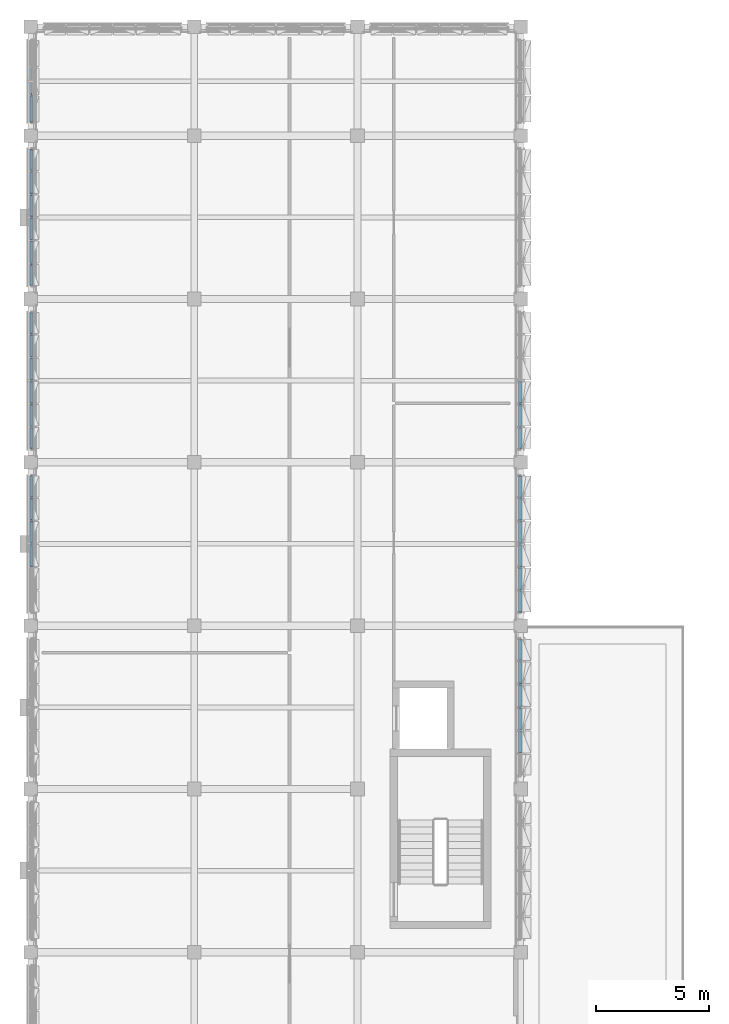
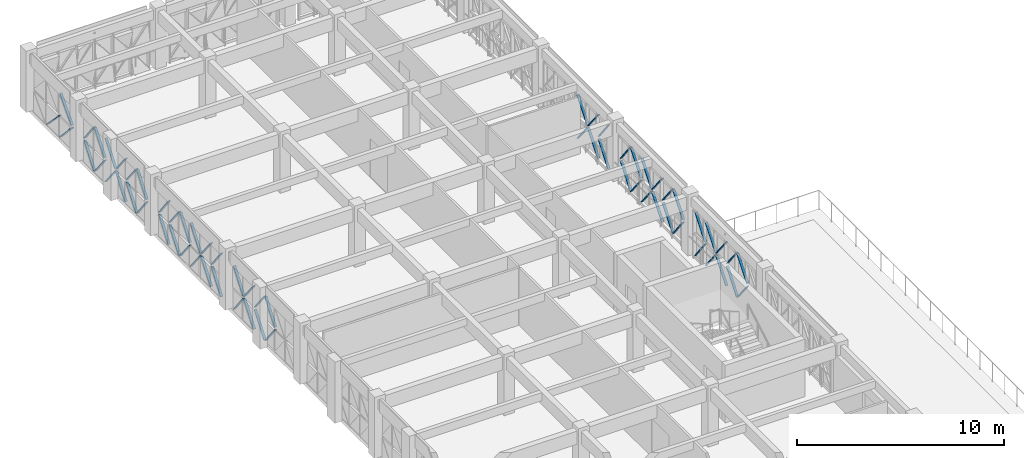
# One storey, part 64 of 99: 63 discrete accessories.
"""IFC4 building model written with IfcOpenShell, lengths in metres."""

from ifc_helpers import new_model, si_unit, direction, frame, origin, origin_2d, place, context, subcontext, project, spatial, rectangle, extrude, material, type_object, element, save


model = new_model("IFC4")

# Units and contexts
model_context = context("Model", 3, precision=1e-05, world=origin(), true_north=direction((0.0, 1.0)))
body_context = subcontext(model_context, "Body", "Model", "MODEL_VIEW")
ifc_project = project(units=[si_unit("LENGTHUNIT", "METRE"), si_unit("AREAUNIT", "SQUARE_METRE"), si_unit("VOLUMEUNIT", "CUBIC_METRE"), si_unit("PLANEANGLEUNIT", "RADIAN"), si_unit("MASSUNIT", "GRAM", prefix="KILO")], contexts=[model_context])

# Site, building, storey
site_placement = place(None, origin())
site = spatial("IfcSite", under=ifc_project, at=site_placement, CompositionType="ELEMENT")
building_placement = place(site_placement, origin())
building = spatial("IfcBuilding", under=site, at=building_placement, Name="Alvorim Cloister Faculty of Sciences", CompositionType="ELEMENT")
storey_placement = place(building_placement, frame((0.0, 0.0, 12.14990234375)))
storey = spatial("IfcBuildingStorey", under=building, at=storey_placement, Name="L03", CompositionType="ELEMENT", Elevation=12.14990234375)

# Discrete accessories
ifc_material = material(Name="Aluminium Alloy 6063-T6", Category="aluminium")
discrete_accessory_type = type_object("IfcDiscreteAccessoryType", Name="ACC-DIAG-BAR", PredefinedType="BRACKET", material=ifc_material)
discrete_accessory_1_placement = place(storey_placement, frame((0.0224609375, 87.8125, 1.35498046875), z_axis=(0.00647732753, 0.618031836495, -0.786126385072), x_axis=(-0.999945083323, 0.010479997039, 0.0)))
element("IfcDiscreteAccessory", 1, at=discrete_accessory_1_placement, inside=storey, type_object=discrete_accessory_type, Name="Diagonal Cassette Glazing Bracket ACC-01152", PredefinedType="BRACKET", context=body_context, shape_type="SweptSolid", body=[
    extrude(rectangle(XDim=0.139892578125, YDim=0.044921875, at=origin_2d()), origin(), (0.0, 0.0, 1.0), 1.54541015625),
])
discrete_accessory_2_placement = place(storey_placement, frame((0.0224609375, 87.8125, 1.4951171875), z_axis=(0.006476523147, 0.617955086572, 0.786186724404), x_axis=(-0.999945083323, 0.010479997039, 0.0)))
element("IfcDiscreteAccessory", 2, at=discrete_accessory_2_placement, inside=storey, type_object=discrete_accessory_type, Name="Diagonal Cassette Glazing Bracket ACC-01153", PredefinedType="BRACKET", context=body_context, shape_type="SweptSolid", body=[
    extrude(rectangle(XDim=0.139892578125, YDim=0.044921875, at=origin_2d()), origin(), (0.0, 0.0, 1.0), 1.545654296875),
])
discrete_accessory_3_placement = place(storey_placement, frame((0.0224609375, 88.83251953125, 0.14013671875), z_axis=(0.00647732753, 0.618031836495, 0.786126385072), x_axis=(-0.999945083323, 0.010479997039, 0.0)))
element("IfcDiscreteAccessory", 3, at=discrete_accessory_3_placement, inside=storey, type_object=discrete_accessory_type, Name="Diagonal Cassette Glazing Bracket ACC-01154", PredefinedType="BRACKET", context=body_context, shape_type="SweptSolid", body=[
    extrude(rectangle(XDim=0.139892578125, YDim=0.044921875, at=origin_2d()), origin(), (0.0, 0.0, 1.0), 1.54541015625),
])
discrete_accessory_4_placement = place(storey_placement, frame((0.0224609375, 88.83251953125, 2.710205078125), z_axis=(0.006476523147, 0.617955086572, -0.786186724404), x_axis=(-0.999945083323, 0.010479997039, 0.0)))
element("IfcDiscreteAccessory", 4, at=discrete_accessory_4_placement, inside=storey, type_object=discrete_accessory_type, Name="Diagonal Cassette Glazing Bracket ACC-01155", PredefinedType="BRACKET", context=body_context, shape_type="SweptSolid", body=[
    extrude(rectangle(XDim=0.139892578125, YDim=0.044921875, at=origin_2d()), origin(), (0.0, 0.0, 1.0), 1.545654296875),
])
discrete_accessory_5_placement = place(storey_placement, frame((0.0224609375, 89.8525390625, 0.14013671875), z_axis=(0.00647732753, 0.618031836495, 0.786126385072), x_axis=(-0.999945083323, 0.010479997039, 0.0)))
element("IfcDiscreteAccessory", 5, at=discrete_accessory_5_placement, inside=storey, type_object=discrete_accessory_type, Name="Diagonal Cassette Glazing Bracket ACC-01156", PredefinedType="BRACKET", context=body_context, shape_type="SweptSolid", body=[
    extrude(rectangle(XDim=0.139892578125, YDim=0.044921875, at=origin_2d()), origin(), (0.0, 0.0, 1.0), 1.54541015625),
])
discrete_accessory_6_placement = place(storey_placement, frame((0.0224609375, 89.8525390625, 2.710205078125), z_axis=(0.006476523147, 0.617955086572, -0.786186724404), x_axis=(-0.999945083323, 0.010479997039, 0.0)))
element("IfcDiscreteAccessory", 6, at=discrete_accessory_6_placement, inside=storey, type_object=discrete_accessory_type, Name="Diagonal Cassette Glazing Bracket ACC-01157", PredefinedType="BRACKET", context=body_context, shape_type="SweptSolid", body=[
    extrude(rectangle(XDim=0.139892578125, YDim=0.044921875, at=origin_2d()), origin(), (0.0, 0.0, 1.0), 1.545654296875),
])
discrete_accessory_7_placement = place(storey_placement, frame((0.0224609375, 90.87255859375, 1.35498046875), z_axis=(0.006562264866, 0.604688699088, -0.796434877359), x_axis=(-0.999941118963, 0.010851663811, 0.0)))
element("IfcDiscreteAccessory", 7, at=discrete_accessory_7_placement, inside=storey, type_object=discrete_accessory_type, Name="Diagonal Cassette Glazing Bracket ACC-01158", PredefinedType="BRACKET", context=body_context, shape_type="SweptSolid", body=[
    extrude(rectangle(XDim=0.139892578125, YDim=0.044921875, at=origin_2d()), origin(), (0.0, 0.0, 1.0), 1.525390625),
])
discrete_accessory_8_placement = place(storey_placement, frame((0.0224609375, 90.87255859375, 1.4951171875), z_axis=(0.006561428426, 0.604611624251, 0.796493397008), x_axis=(-0.999941118963, 0.010851663811, 0.0)))
element("IfcDiscreteAccessory", 8, at=discrete_accessory_8_placement, inside=storey, type_object=discrete_accessory_type, Name="Diagonal Cassette Glazing Bracket ACC-01159", PredefinedType="BRACKET", context=body_context, shape_type="SweptSolid", body=[
    extrude(rectangle(XDim=0.139892578125, YDim=0.044921875, at=origin_2d()), origin(), (0.0, 0.0, 1.0), 1.525634765625),
])
discrete_accessory_9_placement = place(storey_placement, frame((0.0224609375, 93.0048828125, 0.14013671875), z_axis=(0.006561629754, 0.604790215644, 0.796357796519), x_axis=(-0.999941150118, 0.010848792579, 0.0)))
element("IfcDiscreteAccessory", 9, at=discrete_accessory_9_placement, inside=storey, type_object=discrete_accessory_type, Name="Diagonal Cassette Glazing Bracket ACC-01161", PredefinedType="BRACKET", context=body_context, shape_type="SweptSolid", body=[
    extrude(rectangle(XDim=0.139892578125, YDim=0.044921875, at=origin_2d()), origin(), (0.0, 0.0, 1.0), 1.525390625),
])
discrete_accessory_10_placement = place(storey_placement, frame((0.0224609375, 93.0048828125, 2.710205078125), z_axis=(0.006560793558, 0.604713142785, -0.796416330151), x_axis=(-0.999941150118, 0.010848792579, 0.0)))
element("IfcDiscreteAccessory", 10, at=discrete_accessory_10_placement, inside=storey, type_object=discrete_accessory_type, Name="Diagonal Cassette Glazing Bracket ACC-01162", PredefinedType="BRACKET", context=body_context, shape_type="SweptSolid", body=[
    extrude(rectangle(XDim=0.139892578125, YDim=0.044921875, at=origin_2d()), origin(), (0.0, 0.0, 1.0), 1.525634765625),
])
discrete_accessory_11_placement = place(storey_placement, frame((0.0224609375, 93.992431640625, 0.14013671875), z_axis=(0.00647732753, 0.618031836495, 0.786126385072), x_axis=(-0.999945083323, 0.010479997039, 0.0)))
element("IfcDiscreteAccessory", 11, at=discrete_accessory_11_placement, inside=storey, type_object=discrete_accessory_type, Name="Diagonal Cassette Glazing Bracket ACC-01163", PredefinedType="BRACKET", context=body_context, shape_type="SweptSolid", body=[
    extrude(rectangle(XDim=0.139892578125, YDim=0.044921875, at=origin_2d()), origin(), (0.0, 0.0, 1.0), 1.54541015625),
])
discrete_accessory_12_placement = place(storey_placement, frame((0.0224609375, 93.992431640625, 2.710205078125), z_axis=(0.006476523147, 0.617955086572, -0.786186724404), x_axis=(-0.999945083323, 0.010479997039, 0.0)))
element("IfcDiscreteAccessory", 12, at=discrete_accessory_12_placement, inside=storey, type_object=discrete_accessory_type, Name="Diagonal Cassette Glazing Bracket ACC-01164", PredefinedType="BRACKET", context=body_context, shape_type="SweptSolid", body=[
    extrude(rectangle(XDim=0.139892578125, YDim=0.044921875, at=origin_2d()), origin(), (0.0, 0.0, 1.0), 1.545654296875),
])
discrete_accessory_13_placement = place(storey_placement, frame((0.0224609375, 95.012451171875, 1.35498046875), z_axis=(0.00647732753, 0.618031836495, -0.786126385072), x_axis=(-0.999945083323, 0.010479997039, 0.0)))
element("IfcDiscreteAccessory", 13, at=discrete_accessory_13_placement, inside=storey, type_object=discrete_accessory_type, Name="Diagonal Cassette Glazing Bracket ACC-01165", PredefinedType="BRACKET", context=body_context, shape_type="SweptSolid", body=[
    extrude(rectangle(XDim=0.139892578125, YDim=0.044921875, at=origin_2d()), origin(), (0.0, 0.0, 1.0), 1.54541015625),
])
discrete_accessory_14_placement = place(storey_placement, frame((0.0224609375, 95.012451171875, 1.4951171875), z_axis=(0.006476523147, 0.617955086572, 0.786186724404), x_axis=(-0.999945083323, 0.010479997039, 0.0)))
element("IfcDiscreteAccessory", 14, at=discrete_accessory_14_placement, inside=storey, type_object=discrete_accessory_type, Name="Diagonal Cassette Glazing Bracket ACC-01166", PredefinedType="BRACKET", context=body_context, shape_type="SweptSolid", body=[
    extrude(rectangle(XDim=0.139892578125, YDim=0.044921875, at=origin_2d()), origin(), (0.0, 0.0, 1.0), 1.545654296875),
])
discrete_accessory_15_placement = place(storey_placement, frame((0.0224609375, 96.032470703125, 1.35498046875), z_axis=(0.00647732753, 0.618031836495, -0.786126385072), x_axis=(-0.999945083323, 0.010479997039, 0.0)))
element("IfcDiscreteAccessory", 15, at=discrete_accessory_15_placement, inside=storey, type_object=discrete_accessory_type, Name="Diagonal Cassette Glazing Bracket ACC-01167", PredefinedType="BRACKET", context=body_context, shape_type="SweptSolid", body=[
    extrude(rectangle(XDim=0.139892578125, YDim=0.044921875, at=origin_2d()), origin(), (0.0, 0.0, 1.0), 1.54541015625),
])
discrete_accessory_16_placement = place(storey_placement, frame((0.0224609375, 96.032470703125, 1.4951171875), z_axis=(0.006476523147, 0.617955086572, 0.786186724404), x_axis=(-0.999945083323, 0.010479997039, 0.0)))
element("IfcDiscreteAccessory", 16, at=discrete_accessory_16_placement, inside=storey, type_object=discrete_accessory_type, Name="Diagonal Cassette Glazing Bracket ACC-01168", PredefinedType="BRACKET", context=body_context, shape_type="SweptSolid", body=[
    extrude(rectangle(XDim=0.139892578125, YDim=0.044921875, at=origin_2d()), origin(), (0.0, 0.0, 1.0), 1.545654296875),
])
discrete_accessory_17_placement = place(storey_placement, frame((0.0224609375, 97.052490234375, 0.14013671875), z_axis=(0.00647732753, 0.618031836495, 0.786126385072), x_axis=(-0.999945083323, 0.010479997039, 0.0)))
element("IfcDiscreteAccessory", 17, at=discrete_accessory_17_placement, inside=storey, type_object=discrete_accessory_type, Name="Diagonal Cassette Glazing Bracket ACC-01169", PredefinedType="BRACKET", context=body_context, shape_type="SweptSolid", body=[
    extrude(rectangle(XDim=0.139892578125, YDim=0.044921875, at=origin_2d()), origin(), (0.0, 0.0, 1.0), 1.54541015625),
])
discrete_accessory_18_placement = place(storey_placement, frame((0.0224609375, 97.052490234375, 2.710205078125), z_axis=(0.006476523147, 0.617955086572, -0.786186724404), x_axis=(-0.999945083323, 0.010479997039, 0.0)))
element("IfcDiscreteAccessory", 18, at=discrete_accessory_18_placement, inside=storey, type_object=discrete_accessory_type, Name="Diagonal Cassette Glazing Bracket ACC-01170", PredefinedType="BRACKET", context=body_context, shape_type="SweptSolid", body=[
    extrude(rectangle(XDim=0.139892578125, YDim=0.044921875, at=origin_2d()), origin(), (0.0, 0.0, 1.0), 1.545654296875),
])
discrete_accessory_19_placement = place(storey_placement, frame((0.0224609375, 98.072509765625, 0.14013671875), z_axis=(0.006561629754, 0.604790215644, 0.796357796519), x_axis=(-0.999941150118, 0.010848792579, 0.0)))
element("IfcDiscreteAccessory", 19, at=discrete_accessory_19_placement, inside=storey, type_object=discrete_accessory_type, Name="Diagonal Cassette Glazing Bracket ACC-01171", PredefinedType="BRACKET", context=body_context, shape_type="SweptSolid", body=[
    extrude(rectangle(XDim=0.139892578125, YDim=0.044921875, at=origin_2d()), origin(), (0.0, 0.0, 1.0), 1.525390625),
])
discrete_accessory_20_placement = place(storey_placement, frame((0.0224609375, 98.072509765625, 2.710205078125), z_axis=(0.006560793558, 0.604713142785, -0.796416330151), x_axis=(-0.999941150118, 0.010848792579, 0.0)))
element("IfcDiscreteAccessory", 20, at=discrete_accessory_20_placement, inside=storey, type_object=discrete_accessory_type, Name="Diagonal Cassette Glazing Bracket ACC-01172", PredefinedType="BRACKET", context=body_context, shape_type="SweptSolid", body=[
    extrude(rectangle(XDim=0.139892578125, YDim=0.044921875, at=origin_2d()), origin(), (0.0, 0.0, 1.0), 1.525634765625),
])
discrete_accessory_21_placement = place(storey_placement, frame((0.0224609375, 100.205078125, 1.35498046875), z_axis=(0.006562264866, 0.604688699088, -0.796434877359), x_axis=(-0.999941118963, 0.010851663811, 0.0)))
element("IfcDiscreteAccessory", 21, at=discrete_accessory_21_placement, inside=storey, type_object=discrete_accessory_type, Name="Diagonal Cassette Glazing Bracket ACC-01174", PredefinedType="BRACKET", context=body_context, shape_type="SweptSolid", body=[
    extrude(rectangle(XDim=0.139892578125, YDim=0.044921875, at=origin_2d()), origin(), (0.0, 0.0, 1.0), 1.525390625),
])
discrete_accessory_22_placement = place(storey_placement, frame((0.0224609375, 100.205078125, 1.4951171875), z_axis=(0.006561428426, 0.604611624251, 0.796493397008), x_axis=(-0.999941118963, 0.010851663811, 0.0)))
element("IfcDiscreteAccessory", 22, at=discrete_accessory_22_placement, inside=storey, type_object=discrete_accessory_type, Name="Diagonal Cassette Glazing Bracket ACC-01175", PredefinedType="BRACKET", context=body_context, shape_type="SweptSolid", body=[
    extrude(rectangle(XDim=0.139892578125, YDim=0.044921875, at=origin_2d()), origin(), (0.0, 0.0, 1.0), 1.525634765625),
])
discrete_accessory_23_placement = place(storey_placement, frame((0.0224609375, 101.1923828125, 0.14013671875), z_axis=(0.00647732753, 0.618031836495, 0.786126385072), x_axis=(-0.999945083323, 0.010479997039, 0.0)))
element("IfcDiscreteAccessory", 23, at=discrete_accessory_23_placement, inside=storey, type_object=discrete_accessory_type, Name="Diagonal Cassette Glazing Bracket ACC-01176", PredefinedType="BRACKET", context=body_context, shape_type="SweptSolid", body=[
    extrude(rectangle(XDim=0.139892578125, YDim=0.044921875, at=origin_2d()), origin(), (0.0, 0.0, 1.0), 1.54541015625),
])
discrete_accessory_24_placement = place(storey_placement, frame((0.0224609375, 101.1923828125, 2.710205078125), z_axis=(0.006476523147, 0.617955086572, -0.786186724404), x_axis=(-0.999945083323, 0.010479997039, 0.0)))
element("IfcDiscreteAccessory", 24, at=discrete_accessory_24_placement, inside=storey, type_object=discrete_accessory_type, Name="Diagonal Cassette Glazing Bracket ACC-01177", PredefinedType="BRACKET", context=body_context, shape_type="SweptSolid", body=[
    extrude(rectangle(XDim=0.139892578125, YDim=0.044921875, at=origin_2d()), origin(), (0.0, 0.0, 1.0), 1.545654296875),
])
discrete_accessory_25_placement = place(storey_placement, frame((0.0224609375, 102.21240234375, 0.14013671875), z_axis=(0.00647732753, 0.618031836495, 0.786126385072), x_axis=(-0.999945083323, 0.010479997039, 0.0)))
element("IfcDiscreteAccessory", 25, at=discrete_accessory_25_placement, inside=storey, type_object=discrete_accessory_type, Name="Diagonal Cassette Glazing Bracket ACC-01178", PredefinedType="BRACKET", context=body_context, shape_type="SweptSolid", body=[
    extrude(rectangle(XDim=0.139892578125, YDim=0.044921875, at=origin_2d()), origin(), (0.0, 0.0, 1.0), 1.54541015625),
])
discrete_accessory_26_placement = place(storey_placement, frame((0.0224609375, 102.21240234375, 2.710205078125), z_axis=(0.006476523147, 0.617955086572, -0.786186724404), x_axis=(-0.999945083323, 0.010479997039, 0.0)))
element("IfcDiscreteAccessory", 26, at=discrete_accessory_26_placement, inside=storey, type_object=discrete_accessory_type, Name="Diagonal Cassette Glazing Bracket ACC-01179", PredefinedType="BRACKET", context=body_context, shape_type="SweptSolid", body=[
    extrude(rectangle(XDim=0.139892578125, YDim=0.044921875, at=origin_2d()), origin(), (0.0, 0.0, 1.0), 1.545654296875),
])
discrete_accessory_27_placement = place(storey_placement, frame((0.0224609375, 103.232421875, 1.35498046875), z_axis=(0.00647732753, 0.618031836495, -0.786126385072), x_axis=(-0.999945083323, 0.010479997039, 0.0)))
element("IfcDiscreteAccessory", 27, at=discrete_accessory_27_placement, inside=storey, type_object=discrete_accessory_type, Name="Diagonal Cassette Glazing Bracket ACC-01180", PredefinedType="BRACKET", context=body_context, shape_type="SweptSolid", body=[
    extrude(rectangle(XDim=0.139892578125, YDim=0.044921875, at=origin_2d()), origin(), (0.0, 0.0, 1.0), 1.54541015625),
])
discrete_accessory_28_placement = place(storey_placement, frame((0.0224609375, 103.232421875, 1.4951171875), z_axis=(0.006476523147, 0.617955086572, 0.786186724404), x_axis=(-0.999945083323, 0.010479997039, 0.0)))
element("IfcDiscreteAccessory", 28, at=discrete_accessory_28_placement, inside=storey, type_object=discrete_accessory_type, Name="Diagonal Cassette Glazing Bracket ACC-01181", PredefinedType="BRACKET", context=body_context, shape_type="SweptSolid", body=[
    extrude(rectangle(XDim=0.139892578125, YDim=0.044921875, at=origin_2d()), origin(), (0.0, 0.0, 1.0), 1.545654296875),
])
discrete_accessory_29_placement = place(storey_placement, frame((0.0224609375, 104.25244140625, 1.35498046875), z_axis=(0.00647732753, 0.618031836495, -0.786126385072), x_axis=(-0.999945083323, 0.010479997039, 0.0)))
element("IfcDiscreteAccessory", 29, at=discrete_accessory_29_placement, inside=storey, type_object=discrete_accessory_type, Name="Diagonal Cassette Glazing Bracket ACC-01182", PredefinedType="BRACKET", context=body_context, shape_type="SweptSolid", body=[
    extrude(rectangle(XDim=0.139892578125, YDim=0.044921875, at=origin_2d()), origin(), (0.0, 0.0, 1.0), 1.54541015625),
])
discrete_accessory_30_placement = place(storey_placement, frame((0.0224609375, 104.25244140625, 1.4951171875), z_axis=(0.006476523147, 0.617955086572, 0.786186724404), x_axis=(-0.999945083323, 0.010479997039, 0.0)))
element("IfcDiscreteAccessory", 30, at=discrete_accessory_30_placement, inside=storey, type_object=discrete_accessory_type, Name="Diagonal Cassette Glazing Bracket ACC-01183", PredefinedType="BRACKET", context=body_context, shape_type="SweptSolid", body=[
    extrude(rectangle(XDim=0.139892578125, YDim=0.044921875, at=origin_2d()), origin(), (0.0, 0.0, 1.0), 1.545654296875),
])
discrete_accessory_31_placement = place(storey_placement, frame((0.0224609375, 105.2724609375, 0.14013671875), z_axis=(0.006561629754, 0.604790215644, 0.796357796519), x_axis=(-0.999941150118, 0.010848792579, 0.0)))
element("IfcDiscreteAccessory", 31, at=discrete_accessory_31_placement, inside=storey, type_object=discrete_accessory_type, Name="Diagonal Cassette Glazing Bracket ACC-01184", PredefinedType="BRACKET", context=body_context, shape_type="SweptSolid", body=[
    extrude(rectangle(XDim=0.139892578125, YDim=0.044921875, at=origin_2d()), origin(), (0.0, 0.0, 1.0), 1.525390625),
])
discrete_accessory_32_placement = place(storey_placement, frame((0.0224609375, 105.2724609375, 2.710205078125), z_axis=(0.006560793558, 0.604713142785, -0.796416330151), x_axis=(-0.999941150118, 0.010848792579, 0.0)))
element("IfcDiscreteAccessory", 32, at=discrete_accessory_32_placement, inside=storey, type_object=discrete_accessory_type, Name="Diagonal Cassette Glazing Bracket ACC-01185", PredefinedType="BRACKET", context=body_context, shape_type="SweptSolid", body=[
    extrude(rectangle(XDim=0.139892578125, YDim=0.044921875, at=origin_2d()), origin(), (0.0, 0.0, 1.0), 1.525634765625),
])
discrete_accessory_33_placement = place(storey_placement, frame((0.0224609375, 107.405029296875, 1.35498046875), z_axis=(0.006001914684, 0.685096602967, -0.728427499223), x_axis=(-0.999961627419, 0.008760347591, 0.0)))
element("IfcDiscreteAccessory", 33, at=discrete_accessory_33_placement, inside=storey, type_object=discrete_accessory_type, Name="Diagonal Cassette Glazing Bracket ACC-01187", PredefinedType="BRACKET", context=body_context, shape_type="SweptSolid", body=[
    extrude(rectangle(XDim=0.139892578125, YDim=0.044921875, at=origin_2d()), origin(), (0.0, 0.0, 1.0), 1.667724609375),
])
discrete_accessory_34_placement = place(storey_placement, frame((0.0224609375, 107.405029296875, 1.4951171875), z_axis=(0.006001274719, 0.685023553293, 0.728496201868), x_axis=(-0.999961627419, 0.008760347591, 0.0)))
element("IfcDiscreteAccessory", 34, at=discrete_accessory_34_placement, inside=storey, type_object=discrete_accessory_type, Name="Diagonal Cassette Glazing Bracket ACC-01188", PredefinedType="BRACKET", context=body_context, shape_type="SweptSolid", body=[
    extrude(rectangle(XDim=0.139892578125, YDim=0.044921875, at=origin_2d()), origin(), (0.0, 0.0, 1.0), 1.66796875),
])
discrete_accessory_35_placement = place(storey_placement, frame((0.0224609375, 108.612548828125, 1.35498046875), z_axis=(0.00592233146, 0.695223934506, -0.718768813235), x_axis=(-0.99996371874, 0.008518286405, 0.0)))
element("IfcDiscreteAccessory", 35, at=discrete_accessory_35_placement, inside=storey, type_object=discrete_accessory_type, Name="Diagonal Cassette Glazing Bracket ACC-01189", PredefinedType="BRACKET", context=body_context, shape_type="SweptSolid", body=[
    extrude(rectangle(XDim=0.139892578125, YDim=0.044921875, at=origin_2d()), origin(), (0.0, 0.0, 1.0), 1.690185546875),
])
discrete_accessory_36_placement = place(storey_placement, frame((21.577392578125, 93.0048828125, 0.14013671875), z_axis=(-0.006561629754, 0.604790215644, 0.796357796519), x_axis=(-0.999941150118, -0.010848792579, 0.0)))
element("IfcDiscreteAccessory", 36, at=discrete_accessory_36_placement, inside=storey, type_object=discrete_accessory_type, Name="Diagonal Cassette Glazing Bracket ACC-01253", PredefinedType="BRACKET", context=body_context, shape_type="SweptSolid", body=[
    extrude(rectangle(XDim=0.139892578125, YDim=0.044921875, at=origin_2d()), origin(), (0.0, 0.0, 1.0), 1.525390625),
])
discrete_accessory_37_placement = place(storey_placement, frame((21.577392578125, 93.0048828125, 2.710205078125), z_axis=(-0.006560793558, 0.604713142785, -0.796416330151), x_axis=(-0.999941150118, -0.010848792579, 0.0)))
element("IfcDiscreteAccessory", 37, at=discrete_accessory_37_placement, inside=storey, type_object=discrete_accessory_type, Name="Diagonal Cassette Glazing Bracket ACC-01254", PredefinedType="BRACKET", context=body_context, shape_type="SweptSolid", body=[
    extrude(rectangle(XDim=0.139892578125, YDim=0.044921875, at=origin_2d()), origin(), (0.0, 0.0, 1.0), 1.525634765625),
])
discrete_accessory_38_placement = place(storey_placement, frame((21.577392578125, 93.992431640625, 0.14013671875), z_axis=(-0.00647732753, 0.618031836495, 0.786126385072), x_axis=(-0.999945083323, -0.010479997039, 0.0)))
element("IfcDiscreteAccessory", 38, at=discrete_accessory_38_placement, inside=storey, type_object=discrete_accessory_type, Name="Diagonal Cassette Glazing Bracket ACC-01255", PredefinedType="BRACKET", context=body_context, shape_type="SweptSolid", body=[
    extrude(rectangle(XDim=0.139892578125, YDim=0.044921875, at=origin_2d()), origin(), (0.0, 0.0, 1.0), 1.54541015625),
])
discrete_accessory_39_placement = place(storey_placement, frame((21.577392578125, 93.992431640625, 2.710205078125), z_axis=(-0.006476523147, 0.617955086572, -0.786186724404), x_axis=(-0.999945083323, -0.010479997039, 0.0)))
element("IfcDiscreteAccessory", 39, at=discrete_accessory_39_placement, inside=storey, type_object=discrete_accessory_type, Name="Diagonal Cassette Glazing Bracket ACC-01256", PredefinedType="BRACKET", context=body_context, shape_type="SweptSolid", body=[
    extrude(rectangle(XDim=0.139892578125, YDim=0.044921875, at=origin_2d()), origin(), (0.0, 0.0, 1.0), 1.545654296875),
])
discrete_accessory_40_placement = place(storey_placement, frame((21.577392578125, 95.012451171875, 1.35498046875), z_axis=(-0.00647732753, 0.618031836495, -0.786126385072), x_axis=(-0.999945083323, -0.010479997039, 0.0)))
element("IfcDiscreteAccessory", 40, at=discrete_accessory_40_placement, inside=storey, type_object=discrete_accessory_type, Name="Diagonal Cassette Glazing Bracket ACC-01257", PredefinedType="BRACKET", context=body_context, shape_type="SweptSolid", body=[
    extrude(rectangle(XDim=0.139892578125, YDim=0.044921875, at=origin_2d()), origin(), (0.0, 0.0, 1.0), 1.54541015625),
])
discrete_accessory_41_placement = place(storey_placement, frame((21.577392578125, 95.012451171875, 1.4951171875), z_axis=(-0.006476523147, 0.617955086572, 0.786186724404), x_axis=(-0.999945083323, -0.010479997039, 0.0)))
element("IfcDiscreteAccessory", 41, at=discrete_accessory_41_placement, inside=storey, type_object=discrete_accessory_type, Name="Diagonal Cassette Glazing Bracket ACC-01258", PredefinedType="BRACKET", context=body_context, shape_type="SweptSolid", body=[
    extrude(rectangle(XDim=0.139892578125, YDim=0.044921875, at=origin_2d()), origin(), (0.0, 0.0, 1.0), 1.545654296875),
])
discrete_accessory_42_placement = place(storey_placement, frame((21.577392578125, 85.804931640625, 1.35498046875), z_axis=(-0.006561629754, 0.604790215644, -0.796357796519), x_axis=(-0.999941150118, -0.010848792579, 0.0)))
element("IfcDiscreteAccessory", 42, at=discrete_accessory_42_placement, inside=storey, type_object=discrete_accessory_type, Name="Diagonal Cassette Glazing Bracket ACC-01266", PredefinedType="BRACKET", context=body_context, shape_type="SweptSolid", body=[
    extrude(rectangle(XDim=0.139892578125, YDim=0.044921875, at=origin_2d()), origin(), (0.0, 0.0, 1.0), 1.525390625),
])
discrete_accessory_43_placement = place(storey_placement, frame((21.577392578125, 85.804931640625, 1.4951171875), z_axis=(-0.006560793558, 0.604713142785, 0.796416330151), x_axis=(-0.999941150118, -0.010848792579, 0.0)))
element("IfcDiscreteAccessory", 43, at=discrete_accessory_43_placement, inside=storey, type_object=discrete_accessory_type, Name="Diagonal Cassette Glazing Bracket ACC-01267", PredefinedType="BRACKET", context=body_context, shape_type="SweptSolid", body=[
    extrude(rectangle(XDim=0.139892578125, YDim=0.044921875, at=origin_2d()), origin(), (0.0, 0.0, 1.0), 1.525634765625),
])
discrete_accessory_44_placement = place(storey_placement, frame((21.577392578125, 86.79248046875, 0.14013671875), z_axis=(-0.00647732753, 0.618031836495, 0.786126385072), x_axis=(-0.999945083323, -0.010479997039, 0.0)))
element("IfcDiscreteAccessory", 44, at=discrete_accessory_44_placement, inside=storey, type_object=discrete_accessory_type, Name="Diagonal Cassette Glazing Bracket ACC-01268", PredefinedType="BRACKET", context=body_context, shape_type="SweptSolid", body=[
    extrude(rectangle(XDim=0.139892578125, YDim=0.044921875, at=origin_2d()), origin(), (0.0, 0.0, 1.0), 1.54541015625),
])
discrete_accessory_45_placement = place(storey_placement, frame((21.577392578125, 86.79248046875, 2.710205078125), z_axis=(-0.006476523147, 0.617955086572, -0.786186724404), x_axis=(-0.999945083323, -0.010479997039, 0.0)))
element("IfcDiscreteAccessory", 45, at=discrete_accessory_45_placement, inside=storey, type_object=discrete_accessory_type, Name="Diagonal Cassette Glazing Bracket ACC-01269", PredefinedType="BRACKET", context=body_context, shape_type="SweptSolid", body=[
    extrude(rectangle(XDim=0.139892578125, YDim=0.044921875, at=origin_2d()), origin(), (0.0, 0.0, 1.0), 1.545654296875),
])
discrete_accessory_46_placement = place(storey_placement, frame((21.577392578125, 87.8125, 0.14013671875), z_axis=(-0.00647732753, 0.618031836495, 0.786126385072), x_axis=(-0.999945083323, -0.010479997039, 0.0)))
element("IfcDiscreteAccessory", 46, at=discrete_accessory_46_placement, inside=storey, type_object=discrete_accessory_type, Name="Diagonal Cassette Glazing Bracket ACC-01270", PredefinedType="BRACKET", context=body_context, shape_type="SweptSolid", body=[
    extrude(rectangle(XDim=0.139892578125, YDim=0.044921875, at=origin_2d()), origin(), (0.0, 0.0, 1.0), 1.54541015625),
])
discrete_accessory_47_placement = place(storey_placement, frame((21.577392578125, 87.8125, 2.710205078125), z_axis=(-0.006476523147, 0.617955086572, -0.786186724404), x_axis=(-0.999945083323, -0.010479997039, 0.0)))
element("IfcDiscreteAccessory", 47, at=discrete_accessory_47_placement, inside=storey, type_object=discrete_accessory_type, Name="Diagonal Cassette Glazing Bracket ACC-01271", PredefinedType="BRACKET", context=body_context, shape_type="SweptSolid", body=[
    extrude(rectangle(XDim=0.139892578125, YDim=0.044921875, at=origin_2d()), origin(), (0.0, 0.0, 1.0), 1.545654296875),
])
discrete_accessory_48_placement = place(storey_placement, frame((21.577392578125, 88.83251953125, 1.35498046875), z_axis=(-0.00647732753, 0.618031836495, -0.786126385072), x_axis=(-0.999945083323, -0.010479997039, 0.0)))
element("IfcDiscreteAccessory", 48, at=discrete_accessory_48_placement, inside=storey, type_object=discrete_accessory_type, Name="Diagonal Cassette Glazing Bracket ACC-01272", PredefinedType="BRACKET", context=body_context, shape_type="SweptSolid", body=[
    extrude(rectangle(XDim=0.139892578125, YDim=0.044921875, at=origin_2d()), origin(), (0.0, 0.0, 1.0), 1.54541015625),
])
discrete_accessory_49_placement = place(storey_placement, frame((21.577392578125, 88.83251953125, 1.4951171875), z_axis=(-0.006476523147, 0.617955086572, 0.786186724404), x_axis=(-0.999945083323, -0.010479997039, 0.0)))
element("IfcDiscreteAccessory", 49, at=discrete_accessory_49_placement, inside=storey, type_object=discrete_accessory_type, Name="Diagonal Cassette Glazing Bracket ACC-01273", PredefinedType="BRACKET", context=body_context, shape_type="SweptSolid", body=[
    extrude(rectangle(XDim=0.139892578125, YDim=0.044921875, at=origin_2d()), origin(), (0.0, 0.0, 1.0), 1.545654296875),
])
discrete_accessory_50_placement = place(storey_placement, frame((21.577392578125, 89.8525390625, 1.35498046875), z_axis=(-0.00647732753, 0.618031836495, -0.786126385072), x_axis=(-0.999945083323, -0.010479997039, 0.0)))
element("IfcDiscreteAccessory", 50, at=discrete_accessory_50_placement, inside=storey, type_object=discrete_accessory_type, Name="Diagonal Cassette Glazing Bracket ACC-01274", PredefinedType="BRACKET", context=body_context, shape_type="SweptSolid", body=[
    extrude(rectangle(XDim=0.139892578125, YDim=0.044921875, at=origin_2d()), origin(), (0.0, 0.0, 1.0), 1.54541015625),
])
discrete_accessory_51_placement = place(storey_placement, frame((21.577392578125, 89.8525390625, 1.4951171875), z_axis=(-0.006476523147, 0.617955086572, 0.786186724404), x_axis=(-0.999945083323, -0.010479997039, 0.0)))
element("IfcDiscreteAccessory", 51, at=discrete_accessory_51_placement, inside=storey, type_object=discrete_accessory_type, Name="Diagonal Cassette Glazing Bracket ACC-01275", PredefinedType="BRACKET", context=body_context, shape_type="SweptSolid", body=[
    extrude(rectangle(XDim=0.139892578125, YDim=0.044921875, at=origin_2d()), origin(), (0.0, 0.0, 1.0), 1.545654296875),
])
discrete_accessory_52_placement = place(storey_placement, frame((21.577392578125, 90.87255859375, 0.14013671875), z_axis=(-0.006562264866, 0.604688699088, 0.796434877359), x_axis=(-0.999941118963, -0.010851663811, 0.0)))
element("IfcDiscreteAccessory", 52, at=discrete_accessory_52_placement, inside=storey, type_object=discrete_accessory_type, Name="Diagonal Cassette Glazing Bracket ACC-01276", PredefinedType="BRACKET", context=body_context, shape_type="SweptSolid", body=[
    extrude(rectangle(XDim=0.139892578125, YDim=0.044921875, at=origin_2d()), origin(), (0.0, 0.0, 1.0), 1.525390625),
])
discrete_accessory_53_placement = place(storey_placement, frame((21.577392578125, 90.87255859375, 2.710205078125), z_axis=(-0.006561428426, 0.604611624251, -0.796493397008), x_axis=(-0.999941118963, -0.010851663811, 0.0)))
element("IfcDiscreteAccessory", 53, at=discrete_accessory_53_placement, inside=storey, type_object=discrete_accessory_type, Name="Diagonal Cassette Glazing Bracket ACC-01277", PredefinedType="BRACKET", context=body_context, shape_type="SweptSolid", body=[
    extrude(rectangle(XDim=0.139892578125, YDim=0.044921875, at=origin_2d()), origin(), (0.0, 0.0, 1.0), 1.525634765625),
])
discrete_accessory_54_placement = place(storey_placement, frame((21.577392578125, 79.592529296875, 1.35498046875), z_axis=(-0.00647732753, 0.618031836495, -0.786126385072), x_axis=(-0.999945083323, -0.010479997039, 0.0)))
element("IfcDiscreteAccessory", 54, at=discrete_accessory_54_placement, inside=storey, type_object=discrete_accessory_type, Name="Diagonal Cassette Glazing Bracket ACC-01281", PredefinedType="BRACKET", context=body_context, shape_type="SweptSolid", body=[
    extrude(rectangle(XDim=0.139892578125, YDim=0.044921875, at=origin_2d()), origin(), (0.0, 0.0, 1.0), 1.54541015625),
])
discrete_accessory_55_placement = place(storey_placement, frame((21.577392578125, 79.592529296875, 1.4951171875), z_axis=(-0.006476523147, 0.617955086572, 0.786186724404), x_axis=(-0.999945083323, -0.010479997039, 0.0)))
element("IfcDiscreteAccessory", 55, at=discrete_accessory_55_placement, inside=storey, type_object=discrete_accessory_type, Name="Diagonal Cassette Glazing Bracket ACC-01282", PredefinedType="BRACKET", context=body_context, shape_type="SweptSolid", body=[
    extrude(rectangle(XDim=0.139892578125, YDim=0.044921875, at=origin_2d()), origin(), (0.0, 0.0, 1.0), 1.545654296875),
])
discrete_accessory_56_placement = place(storey_placement, frame((21.577392578125, 80.612548828125, 0.14013671875), z_axis=(-0.006477959981, 0.61793418254, 0.786203143012), x_axis=(-0.999945055239, -0.010482676365, 0.0)))
element("IfcDiscreteAccessory", 56, at=discrete_accessory_56_placement, inside=storey, type_object=discrete_accessory_type, Name="Diagonal Cassette Glazing Bracket ACC-01283", PredefinedType="BRACKET", context=body_context, shape_type="SweptSolid", body=[
    extrude(rectangle(XDim=0.139892578125, YDim=0.044921875, at=origin_2d()), origin(), (0.0, 0.0, 1.0), 1.545166015625),
])
discrete_accessory_57_placement = place(storey_placement, frame((21.577392578125, 80.612548828125, 2.710205078125), z_axis=(-0.006477155362, 0.61785742976, -0.786263469168), x_axis=(-0.999945055239, -0.010482676365, 0.0)))
element("IfcDiscreteAccessory", 57, at=discrete_accessory_57_placement, inside=storey, type_object=discrete_accessory_type, Name="Diagonal Cassette Glazing Bracket ACC-01284", PredefinedType="BRACKET", context=body_context, shape_type="SweptSolid", body=[
    extrude(rectangle(XDim=0.139892578125, YDim=0.044921875, at=origin_2d()), origin(), (0.0, 0.0, 1.0), 1.54541015625),
])
discrete_accessory_58_placement = place(storey_placement, frame((21.577392578125, 81.632568359375, 0.14013671875), z_axis=(-0.006477959981, 0.61793418254, 0.786203143012), x_axis=(-0.999945055239, -0.010482676365, 0.0)))
element("IfcDiscreteAccessory", 58, at=discrete_accessory_58_placement, inside=storey, type_object=discrete_accessory_type, Name="Diagonal Cassette Glazing Bracket ACC-01285", PredefinedType="BRACKET", context=body_context, shape_type="SweptSolid", body=[
    extrude(rectangle(XDim=0.139892578125, YDim=0.044921875, at=origin_2d()), origin(), (0.0, 0.0, 1.0), 1.545166015625),
])
discrete_accessory_59_placement = place(storey_placement, frame((21.577392578125, 81.632568359375, 2.710205078125), z_axis=(-0.006477155362, 0.61785742976, -0.786263469168), x_axis=(-0.999945055239, -0.010482676365, 0.0)))
element("IfcDiscreteAccessory", 59, at=discrete_accessory_59_placement, inside=storey, type_object=discrete_accessory_type, Name="Diagonal Cassette Glazing Bracket ACC-01286", PredefinedType="BRACKET", context=body_context, shape_type="SweptSolid", body=[
    extrude(rectangle(XDim=0.139892578125, YDim=0.044921875, at=origin_2d()), origin(), (0.0, 0.0, 1.0), 1.54541015625),
])
discrete_accessory_60_placement = place(storey_placement, frame((21.577392578125, 82.652587890625, 1.35498046875), z_axis=(-0.006477959981, 0.61793418254, -0.786203143012), x_axis=(-0.999945055239, -0.010482676365, 0.0)))
element("IfcDiscreteAccessory", 60, at=discrete_accessory_60_placement, inside=storey, type_object=discrete_accessory_type, Name="Diagonal Cassette Glazing Bracket ACC-01287", PredefinedType="BRACKET", context=body_context, shape_type="SweptSolid", body=[
    extrude(rectangle(XDim=0.139892578125, YDim=0.044921875, at=origin_2d()), origin(), (0.0, 0.0, 1.0), 1.545166015625),
])
discrete_accessory_61_placement = place(storey_placement, frame((21.577392578125, 82.652587890625, 1.4951171875), z_axis=(-0.006477155362, 0.61785742976, 0.786263469168), x_axis=(-0.999945055239, -0.010482676365, 0.0)))
element("IfcDiscreteAccessory", 61, at=discrete_accessory_61_placement, inside=storey, type_object=discrete_accessory_type, Name="Diagonal Cassette Glazing Bracket ACC-01288", PredefinedType="BRACKET", context=body_context, shape_type="SweptSolid", body=[
    extrude(rectangle(XDim=0.139892578125, YDim=0.044921875, at=origin_2d()), origin(), (0.0, 0.0, 1.0), 1.54541015625),
])
discrete_accessory_62_placement = place(storey_placement, frame((21.577392578125, 83.672607421875, 1.35498046875), z_axis=(-0.006562264866, 0.604688699088, -0.796434877359), x_axis=(-0.999941118963, -0.010851663811, 0.0)))
element("IfcDiscreteAccessory", 62, at=discrete_accessory_62_placement, inside=storey, type_object=discrete_accessory_type, Name="Diagonal Cassette Glazing Bracket ACC-01289", PredefinedType="BRACKET", context=body_context, shape_type="SweptSolid", body=[
    extrude(rectangle(XDim=0.139892578125, YDim=0.044921875, at=origin_2d()), origin(), (0.0, 0.0, 1.0), 1.525390625),
])
discrete_accessory_63_placement = place(storey_placement, frame((21.577392578125, 83.672607421875, 1.4951171875), z_axis=(-0.006561428426, 0.604611624251, 0.796493397008), x_axis=(-0.999941118963, -0.010851663811, 0.0)))
element("IfcDiscreteAccessory", 63, at=discrete_accessory_63_placement, inside=storey, type_object=discrete_accessory_type, Name="Diagonal Cassette Glazing Bracket ACC-01290", PredefinedType="BRACKET", context=body_context, shape_type="SweptSolid", body=[
    extrude(rectangle(XDim=0.139892578125, YDim=0.044921875, at=origin_2d()), origin(), (0.0, 0.0, 1.0), 1.525634765625),
])

save(model, "model.ifc")
